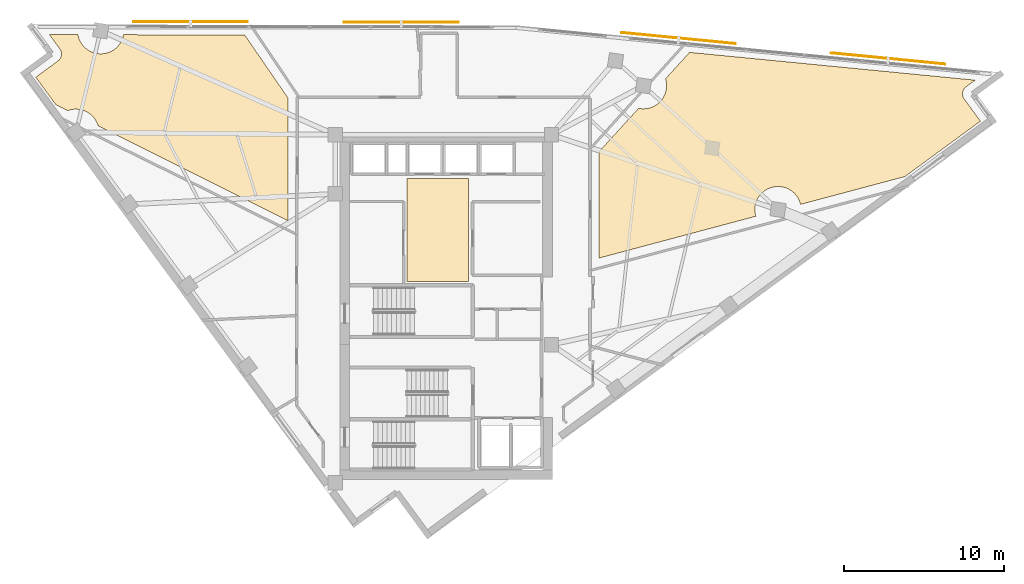
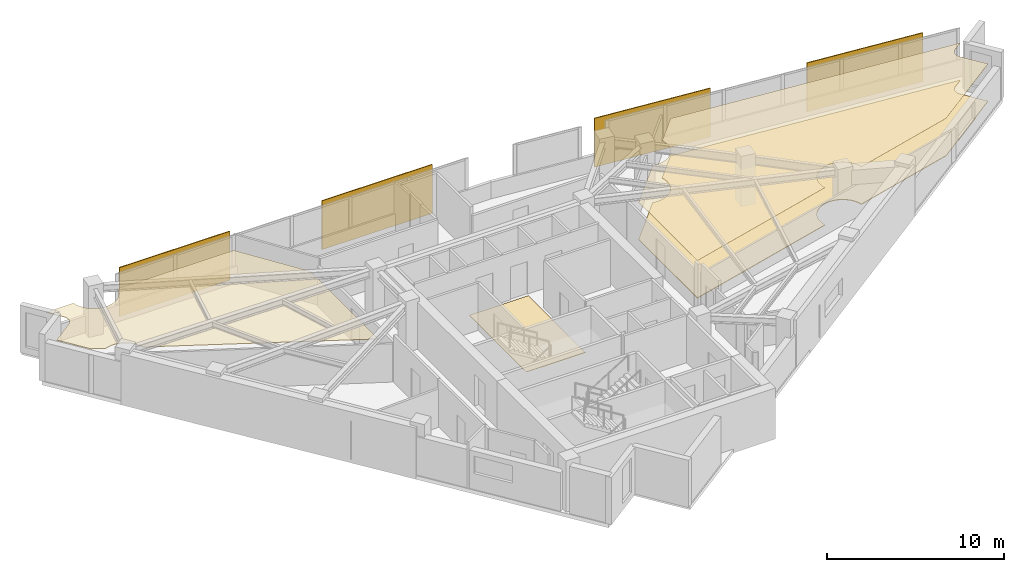
# One storey, part 13 of 13: 4 coverings, 4 shading devices.
"""IFC4 building model written with IfcOpenShell, lengths in metres."""

from ifc_helpers import new_model, si_unit, direction, frame, origin, origin_2d, place, context, subcontext, project, spatial, polyline, rectangle, outline, extrude, material, layer, layer_set, type_object, element, save


model = new_model("IFC4")

# Units and contexts
model_context = context("Model", 3, precision=1e-05, world=origin(), true_north=direction((0.0, 1.0)))
body_context = subcontext(model_context, "Body", "Model", "MODEL_VIEW")
ifc_project = project(units=[si_unit("LENGTHUNIT", "METRE"), si_unit("AREAUNIT", "SQUARE_METRE"), si_unit("VOLUMEUNIT", "CUBIC_METRE"), si_unit("PLANEANGLEUNIT", "RADIAN"), si_unit("MASSUNIT", "GRAM", prefix="KILO")], contexts=[model_context])

# Site, building, storey
site_placement = place(None, origin())
site = spatial("IfcSite", under=ifc_project, at=site_placement, CompositionType="ELEMENT")
building_placement = place(site_placement, origin())
building = spatial("IfcBuilding", under=site, at=building_placement, Name="Narakoshi Arena Tower", CompositionType="ELEMENT")
storey_placement = place(building_placement, frame((0.0, 0.0, 257.219970703125)))
storey = spatial("IfcBuildingStorey", under=building, at=storey_placement, Name="L70", CompositionType="ELEMENT", Elevation=257.219970703125)

# Coverings
ifc_material_1 = material(Name="Acoustic mineral-fibre ceiling tile")
ifc_layer_1 = layer(ifc_material_1, 0.02001953125)
ifc_layer_set_1 = layer_set([ifc_layer_1], Name="Acoustic mineral-fibre ceiling tile")
covering_type_1 = type_object("IfcCoveringType", Name="COV-CLG-AC20", PredefinedType="CEILING", material=ifc_layer_set_1)
covering_1_placement = place(storey_placement, frame((0.0, 0.0, 2.590087890625)))
element("IfcCovering", 1, at=covering_1_placement, inside=storey, type_object=covering_type_1, Name="L70 Suspended Acoustic Ceiling 1", PredefinedType="CEILING", context=body_context, shape_type="SweptSolid", body=[
    extrude(outline(polyline([(111.5283203125, 59.50830078125), (111.486328125, 59.474365234375), (111.447998046875, 59.436279296875), (111.41357421875, 59.394775390625), (111.38330078125, 59.35009765625), (111.357666015625, 59.302734375), (111.336669921875, 59.2529296875), (111.32080078125, 59.201416015625), (111.309814453125, 59.1484375), (111.30419921875, 59.0947265625), (111.303955078125, 59.040771484375), (111.30908203125, 58.987060546875), (111.3193359375, 58.93408203125), (111.334716796875, 58.88232421875), (111.35498046875, 58.83251953125), (111.380126953125, 58.78466796875), (111.409912109375, 58.739501953125), (112.426025390625, 57.353515625), (107.68994140625, 53.880859375), (101.152587890625, 52.138671875), (101.130126953125, 52.22802734375), (101.082275390625, 52.362060546875), (101.021484375, 52.490478515625), (100.9482421875, 52.61279296875), (100.863525390625, 52.72705078125), (100.767822265625, 52.83251953125), (100.66259765625, 52.927978515625), (100.548095703125, 53.0126953125), (100.426025390625, 53.0859375), (100.297607421875, 53.146728515625), (100.16357421875, 53.194580078125), (100.025390625, 53.229248046875), (99.884765625, 53.25), (99.74267578125, 53.257080078125), (99.6005859375, 53.25), (99.459716796875, 53.229248046875), (99.32177734375, 53.194580078125), (99.187744140625, 53.146728515625), (99.05908203125, 53.0859375), (98.93701171875, 53.0126953125), (98.82275390625, 52.927978515625), (98.71728515625, 52.83251953125), (98.62158203125, 52.72705078125), (98.537109375, 52.61279296875), (98.4638671875, 52.490478515625), (98.403076171875, 52.362060546875), (98.35498046875, 52.22802734375), (98.320556640625, 52.090087890625), (98.299560546875, 51.94921875), (98.29248046875, 51.80712890625), (98.299560546875, 51.6650390625), (98.320556640625, 51.524169921875), (98.353515625, 51.392578125), (88.511474609375, 48.769775390625), (88.511474609375, 55.419677734375), (91.008544921875, 58.1591796875), (91.0283203125, 58.154296875), (91.169189453125, 58.13330078125), (91.311279296875, 58.126220703125), (91.453369140625, 58.13330078125), (91.59423828125, 58.154296875), (91.732177734375, 58.188720703125), (91.8662109375, 58.23681640625), (91.994873046875, 58.297607421875), (92.116943359375, 58.37060546875), (92.231201171875, 58.455322265625), (92.336669921875, 58.551025390625), (92.43212890625, 58.656494140625), (92.516845703125, 58.770751953125), (92.590087890625, 58.892822265625), (92.65087890625, 59.021484375), (92.698974609375, 59.155517578125), (92.7333984375, 59.29345703125), (92.75439453125, 59.43408203125), (92.76123046875, 59.576416015625), (92.75439453125, 59.718505859375), (92.7333984375, 59.859130859375), (92.698974609375, 59.997314453125), (92.694580078125, 60.009033203125), (94.201904296875, 61.66259765625), (112.09228515625, 59.921875), (111.5283203125, 59.50830078125)])), origin(), (0.0, 0.0, 1.0), 0.02001953125),
])
ifc_material_2 = material(Name="Slatted oak acoustic timber baffle", Category="wood")
ifc_layer_2 = layer(ifc_material_2, 0.034912109375)
ifc_layer_set_2 = layer_set([ifc_layer_2], Name="Slatted oak acoustic timber baffle")
covering_type_2 = type_object("IfcCoveringType", Name="COV-CLG-WD35", PredefinedType="CEILING", material=ifc_layer_set_2)
covering_2_placement = place(storey_placement, frame((0.0, 0.0, 2.574951171875)))
element("IfcCovering", 2, at=covering_2_placement, inside=storey, type_object=covering_type_2, Name="L70 Suspended Acoustic Ceiling 2", PredefinedType="CEILING", context=body_context, shape_type="SweptSolid", body=[
    extrude(outline(polyline([(55.8818359375, 62.773193359375), (55.88720703125, 62.73779296875), (55.921630859375, 62.599609375), (55.969482421875, 62.4658203125), (56.030517578125, 62.337158203125), (56.103515625, 62.215087890625), (56.188232421875, 62.1005859375), (56.283935546875, 61.995361328125), (56.389404296875, 61.899658203125), (56.503662109375, 61.81494140625), (56.625732421875, 61.74169921875), (56.75439453125, 61.680908203125), (56.88818359375, 61.633056640625), (57.0263671875, 61.598388671875), (57.1669921875, 61.57763671875), (57.30908203125, 61.570556640625), (57.451416015625, 61.57763671875), (57.592041015625, 61.598388671875), (57.72998046875, 61.633056640625), (57.864013671875, 61.680908203125), (57.99267578125, 61.74169921875), (58.11474609375, 61.81494140625), (58.22900390625, 61.899658203125), (58.33447265625, 61.995361328125), (58.43017578125, 62.1005859375), (58.514892578125, 62.215087890625), (58.587890625, 62.337158203125), (58.648681640625, 62.4658203125), (58.69677734375, 62.599609375), (58.731201171875, 62.73779296875), (58.73583984375, 62.76806640625), (66.326416015625, 62.754150390625), (69.03857421875, 58.808349609375), (69.03857421875, 51.109619140625), (57.1455078125, 57.05712890625), (57.140869140625, 57.0751953125), (57.093017578125, 57.209228515625), (57.031982421875, 57.337890625), (56.958984375, 57.4599609375), (56.874267578125, 57.57421875), (56.778564453125, 57.6796875), (56.673095703125, 57.775390625), (56.558837890625, 57.860107421875), (56.436767578125, 57.93310546875), (56.30810546875, 57.993896484375), (56.17431640625, 58.0419921875), (56.0361328125, 58.076416015625), (55.8955078125, 58.097412109375), (55.75341796875, 58.1044921875), (55.611083984375, 58.097412109375), (55.470458984375, 58.076416015625), (55.33251953125, 58.0419921875), (55.2412109375, 58.00927734375), (54.50048828125, 58.379638671875), (53.23779296875, 60.102294921875), (54.62353515625, 61.118408203125), (54.66552734375, 61.152587890625), (54.703857421875, 61.1904296875), (54.73828125, 61.23193359375), (54.7685546875, 61.276611328125), (54.794189453125, 61.32421875), (54.815185546875, 61.373779296875), (54.831298828125, 61.425537109375), (54.842041015625, 61.478271484375), (54.84765625, 61.531982421875), (54.847900390625, 61.5859375), (54.843017578125, 61.6396484375), (54.83251953125, 61.692626953125), (54.8173828125, 61.744384765625), (54.796875, 61.79443359375), (54.771728515625, 61.84228515625), (54.741943359375, 61.88720703125), (54.08984375, 62.7763671875), (55.8818359375, 62.773193359375)])), origin(), (0.0, 0.0, 1.0), 0.03515625),
])
ifc_material_3 = material(Name="Raised steel access floor panel", Category="steel")
ifc_layer_3 = layer(ifc_material_3, 0.044921875)
ifc_layer_set_3 = layer_set([ifc_layer_3], Name="Raised steel access floor panel")
covering_type_3 = type_object("IfcCoveringType", Name="COV-FLR-RF45", PredefinedType="FLOORING", material=ifc_layer_set_3)
covering_3_placement = place(storey_placement, origin())
element("IfcCovering", 3, at=covering_3_placement, inside=storey, type_object=covering_type_3, Name="L70 Raised Steel Access Floor", PredefinedType="FLOORING", context=body_context, shape_type="SweptSolid", body=[
    extrude(outline(polyline([(111.5283203125, 59.50830078125), (111.486328125, 59.474365234375), (111.447998046875, 59.436279296875), (111.41357421875, 59.394775390625), (111.38330078125, 59.35009765625), (111.357666015625, 59.302734375), (111.336669921875, 59.2529296875), (111.32080078125, 59.201416015625), (111.309814453125, 59.1484375), (111.30419921875, 59.0947265625), (111.303955078125, 59.040771484375), (111.30908203125, 58.987060546875), (111.3193359375, 58.93408203125), (111.334716796875, 58.88232421875), (111.35498046875, 58.83251953125), (111.380126953125, 58.78466796875), (111.409912109375, 58.739501953125), (112.426025390625, 57.353515625), (107.68994140625, 53.880859375), (101.152587890625, 52.138671875), (101.130126953125, 52.22802734375), (101.082275390625, 52.362060546875), (101.021484375, 52.490478515625), (100.9482421875, 52.61279296875), (100.863525390625, 52.72705078125), (100.767822265625, 52.83251953125), (100.66259765625, 52.927978515625), (100.548095703125, 53.0126953125), (100.426025390625, 53.0859375), (100.297607421875, 53.146728515625), (100.16357421875, 53.194580078125), (100.025390625, 53.229248046875), (99.884765625, 53.25), (99.74267578125, 53.257080078125), (99.6005859375, 53.25), (99.459716796875, 53.229248046875), (99.32177734375, 53.194580078125), (99.187744140625, 53.146728515625), (99.05908203125, 53.0859375), (98.93701171875, 53.0126953125), (98.82275390625, 52.927978515625), (98.71728515625, 52.83251953125), (98.62158203125, 52.72705078125), (98.537109375, 52.61279296875), (98.4638671875, 52.490478515625), (98.403076171875, 52.362060546875), (98.35498046875, 52.22802734375), (98.320556640625, 52.090087890625), (98.299560546875, 51.94921875), (98.29248046875, 51.80712890625), (98.299560546875, 51.6650390625), (98.320556640625, 51.524169921875), (98.353515625, 51.392578125), (88.511474609375, 48.769775390625), (88.511474609375, 55.419677734375), (91.008544921875, 58.1591796875), (91.0283203125, 58.154296875), (91.169189453125, 58.13330078125), (91.311279296875, 58.126220703125), (91.453369140625, 58.13330078125), (91.59423828125, 58.154296875), (91.732177734375, 58.188720703125), (91.8662109375, 58.23681640625), (91.994873046875, 58.297607421875), (92.116943359375, 58.37060546875), (92.231201171875, 58.455322265625), (92.336669921875, 58.551025390625), (92.43212890625, 58.656494140625), (92.516845703125, 58.770751953125), (92.590087890625, 58.892822265625), (92.65087890625, 59.021484375), (92.698974609375, 59.155517578125), (92.7333984375, 59.29345703125), (92.75439453125, 59.43408203125), (92.76123046875, 59.576416015625), (92.75439453125, 59.718505859375), (92.7333984375, 59.859130859375), (92.698974609375, 59.997314453125), (92.694580078125, 60.009033203125), (94.201904296875, 61.66259765625), (112.09228515625, 59.921875), (111.5283203125, 59.50830078125)])), origin(), (0.0, 0.0, 1.0), 0.044921875),
])
ifc_material_4 = material(Name="Honed granite stone paving", Category="masonry")
ifc_layer_4 = layer(ifc_material_4, 0.030029296875)
ifc_layer_set_4 = layer_set([ifc_layer_4], Name="Honed granite stone paving")
covering_type_4 = type_object("IfcCoveringType", Name="COV-FLR-ST30", PredefinedType="FLOORING", material=ifc_layer_set_4)
covering_4_placement = place(storey_placement, origin())
element("IfcCovering", 4, at=covering_4_placement, inside=storey, type_object=covering_type_4, Name="L70 Lift Lobby Granite Flooring", PredefinedType="FLOORING", context=body_context, shape_type="SweptSolid", body=[
    extrude(outline(polyline([(76.5, 47.300048828125), (80.35009765625, 47.300048828125), (80.35009765625, 53.75), (76.5, 53.75), (76.5, 47.300048828125)])), origin(), (0.0, 0.0, 1.0), 0.030029296875),
])

# Shading devices
ifc_material_5 = material(Name="Perforated bronze ceramic-metal composite")
ifc_layer_5 = layer(ifc_material_5, 0.06005859375)
ifc_layer_set_5 = layer_set([ifc_layer_5], Name="Perforated bronze ceramic-metal composite")
shading_device_type = type_object("IfcShadingDeviceType", Name="SHD-SCR-BRZ2", PredefinedType="USERDEFINED", material=ifc_layer_set_5)
for number, where, z_axis, x_axis, name in (
    (5, (106.64697265625, 61.275390625, 0.0), (0.0, 0.0, 1.0), (-0.995298664587, 0.096853333819, 0.0), "L70 Perforated Bronze Solar Screen 1-1"),
    (6, (93.509033203125, 62.553955078125, 0.0), (0.0, 0.0, 1.0), (-0.995298664587, 0.096853333819, 0.0), "L70 Perforated Bronze Solar Screen 1-2"),
    (7, (76.1328125, 63.556396484375, 0.0), (0.0, 0.0, 1.0), (-0.999998352629, 0.001815141425, 0.0), "L70 Perforated Bronze Solar Screen 2-1"),
    (8, (62.932861328125, 63.580322265625, 0.0), (0.0, 0.0, 1.0), (-0.999998352629, 0.001815141425, 0.0), "L70 Perforated Bronze Solar Screen 2-2"),
):
    element("IfcShadingDevice", number, at=place(storey_placement, frame(where, z_axis=z_axis, x_axis=x_axis)), inside=storey, type_object=shading_device_type, Name=name, ObjectType="SOLAR SCREEN", PredefinedType="USERDEFINED", context=body_context, shape_type="SweptSolid", body=[
        extrude(rectangle(XDim=7.199951171875, YDim=0.06005859375, at=origin_2d()), origin(), (0.0, 0.0, 1.0), 3.3701171875),
    ])

save(model, "model.ifc")
